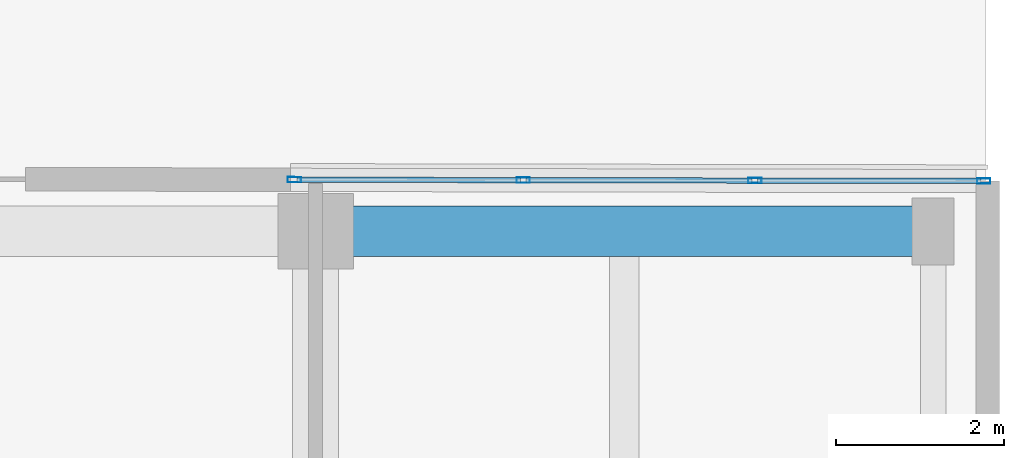
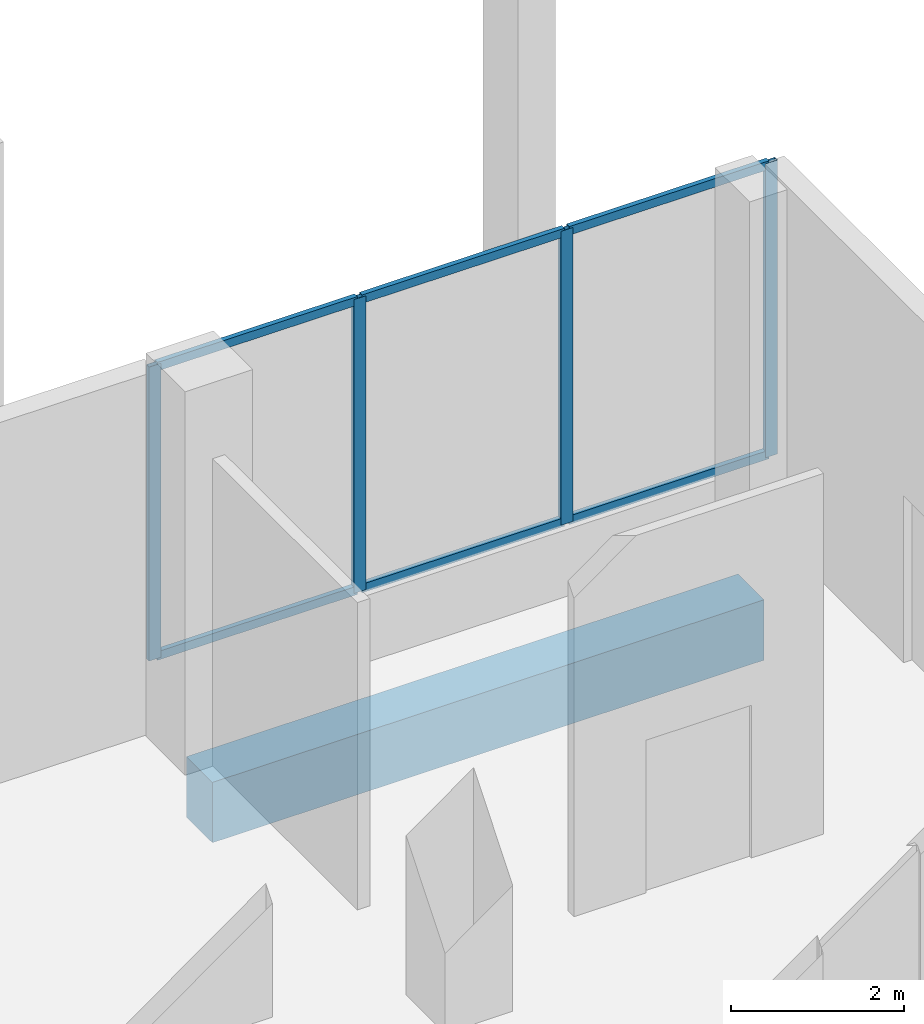
# One storey, part 118 of 158: 10 members, 1 beam, 1 element without a shape of its own.
"""IFC4 building model written with IfcOpenShell, lengths in metres."""

from ifc_helpers import new_model, si_unit, direction, frame, origin, origin_2d, place, context, subcontext, project, spatial, rectangle, hollow_rectangle, extrude, material, material_profile, profile_set, type_object, element, aggregate, save


model = new_model("IFC4")

# Units and contexts
model_context = context("Model", 3, precision=1e-05, world=origin(), true_north=direction((0.0, 1.0)))
body_context = subcontext(model_context, "Body", "Model", "MODEL_VIEW")
ifc_project = project(units=[si_unit("LENGTHUNIT", "METRE"), si_unit("AREAUNIT", "SQUARE_METRE"), si_unit("VOLUMEUNIT", "CUBIC_METRE"), si_unit("PLANEANGLEUNIT", "RADIAN"), si_unit("MASSUNIT", "GRAM", prefix="KILO")], contexts=[model_context])

# Site, building, storey
site_placement = place(None, origin())
site = spatial("IfcSite", under=ifc_project, at=site_placement, CompositionType="ELEMENT")
building_placement = place(site_placement, origin())
building = spatial("IfcBuilding", under=site, at=building_placement, Name="Selatvlak General Hospital", CompositionType="ELEMENT")
storey_placement = place(building_placement, origin())
storey = spatial("IfcBuildingStorey", under=building, at=storey_placement, Name="L00", CompositionType="ELEMENT", Elevation=0.0)

# Beam
ifc_material_1 = material(Name="Concrete C40/50", Category="concrete")
ifc_material_profile_1 = material_profile(ifc_material_1, rectangle(XDim=0.60009765625, YDim=0.85009765625, at=origin_2d()), Name="RC-BM 600x850")
ifc_profile_set_1 = profile_set([ifc_material_profile_1], Name="Concrete C40/50")
beam_type = type_object("IfcBeamType", Name="BM-G01", PredefinedType="BEAM", material=ifc_profile_set_1)
beam_placement = place(storey_placement, frame((174.0, 114.0, -0.77490234375), z_axis=(1.0, 0.0, 0.0), x_axis=(0.0, 1.0, 0.0)))
element("IfcBeam", 1, at=beam_placement, inside=storey, type_object=beam_type, Name="Beam BMR-L00-0145", PredefinedType="BEAM", context=body_context, shape_type="SweptSolid", body=[
    extrude(rectangle(XDim=0.60009765625, YDim=0.85009765625, at=origin_2d()), origin(), (0.0, 0.0, 1.0), 7.35009765625),
])

# Curtain wall, members
ifc_material_2 = material(Name="Solar-control Low-E double glazing", Category="glass")
curtain_wall_type = type_object("IfcCurtainWallType", Name="CW-CW-01", PredefinedType="USERDEFINED", material=ifc_material_2)
curtain_wall_placement = place(storey_placement, origin())
curtain_wall = element("IfcCurtainWall", 2, at=curtain_wall_placement, inside=storey, type_object=curtain_wall_type, Name="Glazed facade curtain wall CW-L00-0013", ObjectType="UNITISED CURTAIN WALL", PredefinedType="USERDEFINED")
ifc_material_3 = material(Name="Dark anodised aluminium mullion", Category="aluminium")
ifc_material_profile_2 = material_profile(ifc_material_3, hollow_rectangle(XDim=0.06494140625, YDim=0.159912109375, WallThickness=0.00390625, at=origin_2d()), Name="AL-MUL 65x160x4")
ifc_profile_set_2 = profile_set([ifc_material_profile_2], Name="Dark anodised aluminium mullion")
member_type_1 = type_object("IfcMemberType", Name="CWM-01", PredefinedType="MULLION", material=ifc_profile_set_2)
member_1_placement = place(storey_placement, frame((173.74658203125, 114.614990234375, 0.93994140625), z_axis=(0.0, 0.0, 1.0), x_axis=(0.001813781781, 0.999998355096, 0.0)))
member_1 = element("IfcMember", 3, at=member_1_placement, type_object=member_type_1, Name="CW-01 mullion 1", PredefinedType="MULLION", context=body_context, shape_type="SweptSolid", body=[
    extrude(hollow_rectangle(XDim=0.06494140625, YDim=0.159912109375, WallThickness=0.00390625, at=origin_2d()), origin(), (0.0, 0.0, 1.0), 4.14013671875),
])
member_2_placement = place(storey_placement, frame((176.470703125, 114.610107421875, 0.93994140625), z_axis=(0.0, 0.0, 1.0), x_axis=(0.001813781781, 0.999998355096, 0.0)))
member_2 = element("IfcMember", 4, at=member_2_placement, type_object=member_type_1, Name="CW-01 mullion 2", PredefinedType="MULLION", context=body_context, shape_type="SweptSolid", body=[
    extrude(hollow_rectangle(XDim=0.06494140625, YDim=0.159912109375, WallThickness=0.00390625, at=origin_2d()), origin(), (0.0, 0.0, 1.0), 4.14013671875),
])
member_3_placement = place(storey_placement, frame((179.227294921875, 114.60498046875, 0.93994140625), z_axis=(0.0, 0.0, 1.0), x_axis=(0.001813781781, 0.999998355096, 0.0)))
member_3 = element("IfcMember", 5, at=member_3_placement, type_object=member_type_1, Name="CW-01 mullion 3", PredefinedType="MULLION", context=body_context, shape_type="SweptSolid", body=[
    extrude(hollow_rectangle(XDim=0.06494140625, YDim=0.159912109375, WallThickness=0.00390625, at=origin_2d()), origin(), (0.0, 0.0, 1.0), 4.14013671875),
])
member_4_placement = place(storey_placement, frame((181.951416015625, 114.60009765625, 0.93994140625), z_axis=(0.0, 0.0, 1.0), x_axis=(0.001813781781, 0.999998355096, 0.0)))
member_4 = element("IfcMember", 6, at=member_4_placement, type_object=member_type_1, Name="CW-01 mullion 4", PredefinedType="MULLION", context=body_context, shape_type="SweptSolid", body=[
    extrude(hollow_rectangle(XDim=0.06494140625, YDim=0.159912109375, WallThickness=0.00390625, at=origin_2d()), origin(), (0.0, 0.0, 1.0), 4.14013671875),
])
ifc_material_profile_3 = material_profile(ifc_material_3, hollow_rectangle(XDim=0.06494140625, YDim=0.1201171875, WallThickness=0.00390625, at=origin_2d()), Name="AL-TRN 65x120x4")
ifc_profile_set_3 = profile_set([ifc_material_profile_3], Name="Dark anodised aluminium mullion")
member_type_2 = type_object("IfcMemberType", Name="CWT-01", PredefinedType="USERDEFINED", material=ifc_profile_set_3)
member_5_placement = place(storey_placement, frame((173.779052734375, 114.614990234375, 0.972412109375), z_axis=(0.999998314171, -0.001836206967, 0.0), x_axis=(0.001836206967, 0.999998314171, 0.0)))
member_5 = element("IfcMember", 7, at=member_5_placement, type_object=member_type_2, Name="CW-01 transom 1.1", ObjectType="TRANSOM", PredefinedType="USERDEFINED", context=body_context, shape_type="SweptSolid", body=[
    extrude(hollow_rectangle(XDim=0.06494140625, YDim=0.1201171875, WallThickness=0.00390625, at=origin_2d()), origin(), (0.0, 0.0, 1.0), 2.6591796875),
])
member_6_placement = place(storey_placement, frame((173.779052734375, 114.614990234375, 5.047607421875), z_axis=(0.999998314171, -0.001836206967, 0.0), x_axis=(0.001836206967, 0.999998314171, 0.0)))
member_6 = element("IfcMember", 8, at=member_6_placement, type_object=member_type_2, Name="CW-01 transom 1.2", ObjectType="TRANSOM", PredefinedType="USERDEFINED", context=body_context, shape_type="SweptSolid", body=[
    extrude(hollow_rectangle(XDim=0.06494140625, YDim=0.1201171875, WallThickness=0.00390625, at=origin_2d()), origin(), (0.0, 0.0, 1.0), 2.6591796875),
])
member_7_placement = place(storey_placement, frame((176.503173828125, 114.60986328125, 0.972412109375), z_axis=(0.999998354599, -0.001814055972, 0.0), x_axis=(0.001814055972, 0.999998354599, 0.0)))
member_7 = element("IfcMember", 9, at=member_7_placement, type_object=member_type_2, Name="CW-01 transom 2.1", ObjectType="TRANSOM", PredefinedType="USERDEFINED", context=body_context, shape_type="SweptSolid", body=[
    extrude(hollow_rectangle(XDim=0.06494140625, YDim=0.1201171875, WallThickness=0.00390625, at=origin_2d()), origin(), (0.0, 0.0, 1.0), 2.691650390625),
])
member_8_placement = place(storey_placement, frame((176.503173828125, 114.60986328125, 5.047607421875), z_axis=(0.999998354599, -0.001814055972, 0.0), x_axis=(0.001814055972, 0.999998354599, 0.0)))
member_8 = element("IfcMember", 10, at=member_8_placement, type_object=member_type_2, Name="CW-01 transom 2.2", ObjectType="TRANSOM", PredefinedType="USERDEFINED", context=body_context, shape_type="SweptSolid", body=[
    extrude(hollow_rectangle(XDim=0.06494140625, YDim=0.1201171875, WallThickness=0.00390625, at=origin_2d()), origin(), (0.0, 0.0, 1.0), 2.691650390625),
])
member_9_placement = place(storey_placement, frame((179.259765625, 114.60498046875, 0.972412109375), z_axis=(0.999998314171, -0.001836206967, 0.0), x_axis=(0.001836206967, 0.999998314171, 0.0)))
member_9 = element("IfcMember", 11, at=member_9_placement, type_object=member_type_2, Name="CW-01 transom 3.1", ObjectType="TRANSOM", PredefinedType="USERDEFINED", context=body_context, shape_type="SweptSolid", body=[
    extrude(hollow_rectangle(XDim=0.06494140625, YDim=0.1201171875, WallThickness=0.00390625, at=origin_2d()), origin(), (0.0, 0.0, 1.0), 2.6591796875),
])
member_10_placement = place(storey_placement, frame((179.259765625, 114.60498046875, 5.047607421875), z_axis=(0.999998314171, -0.001836206967, 0.0), x_axis=(0.001836206967, 0.999998314171, 0.0)))
member_10 = element("IfcMember", 12, at=member_10_placement, type_object=member_type_2, Name="CW-01 transom 3.2", ObjectType="TRANSOM", PredefinedType="USERDEFINED", context=body_context, shape_type="SweptSolid", body=[
    extrude(hollow_rectangle(XDim=0.06494140625, YDim=0.1201171875, WallThickness=0.00390625, at=origin_2d()), origin(), (0.0, 0.0, 1.0), 2.6591796875),
])
aggregate(curtain_wall, [member_1, member_2, member_3, member_4, member_5, member_6, member_7, member_8, member_9, member_10])

save(model, "model.ifc")
